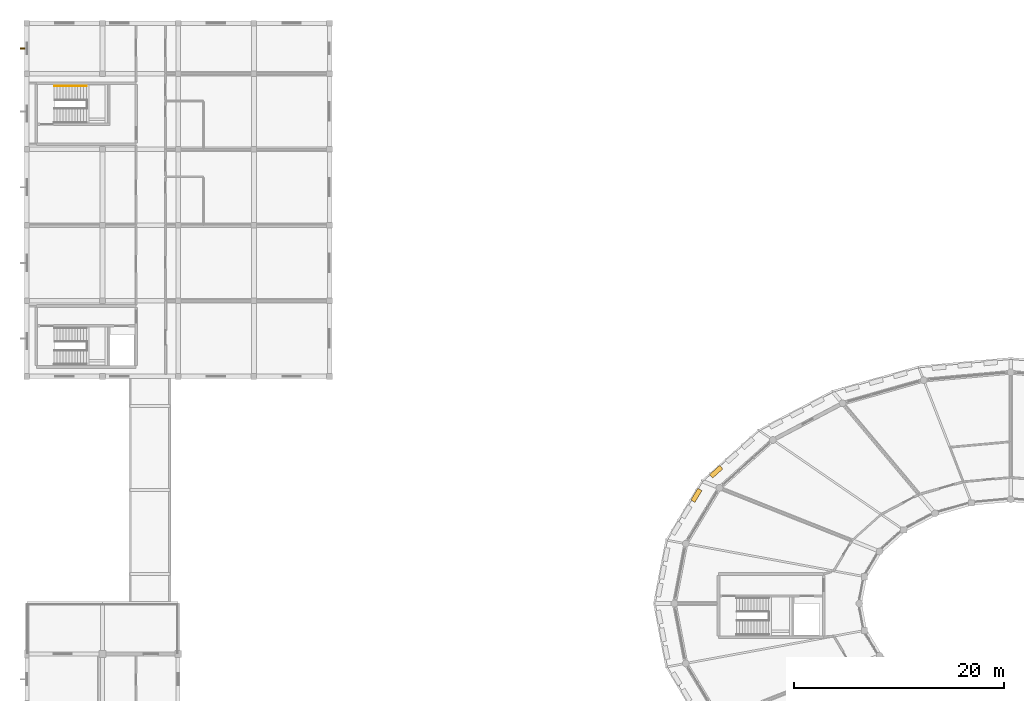
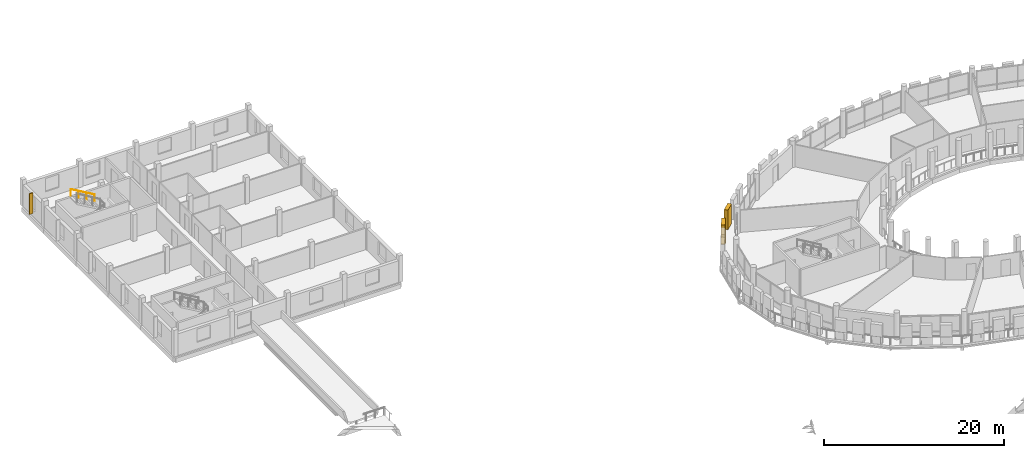
# One storey, part 91 of 93: 3 shading devices, 1 railing.
"""IFC4 building model written with IfcOpenShell, lengths in metres."""

from ifc_helpers import new_model, si_unit, direction, frame, origin, origin_2d, place, context, subcontext, project, spatial, rectangle, circle, extrude, material, type_object, element, save


model = new_model("IFC4")

# Units and contexts
model_context = context("Model", 3, precision=1e-05, world=origin(), true_north=direction((0.0, 1.0)))
body_context = subcontext(model_context, "Body", "Model", "MODEL_VIEW")
ifc_project = project(units=[si_unit("LENGTHUNIT", "METRE"), si_unit("AREAUNIT", "SQUARE_METRE"), si_unit("VOLUMEUNIT", "CUBIC_METRE"), si_unit("PLANEANGLEUNIT", "RADIAN"), si_unit("MASSUNIT", "GRAM", prefix="KILO")], contexts=[model_context])

# Site, building, storey
site_placement = place(None, origin())
site = spatial("IfcSite", under=ifc_project, at=site_placement, CompositionType="ELEMENT")
building_placement = place(site_placement, origin())
building = spatial("IfcBuilding", under=site, at=building_placement, Name="Zornivar Specialist Clinic", CompositionType="ELEMENT")
storey_placement = place(building_placement, frame((0.0, 0.0, 8.39990234375)))
storey = spatial("IfcBuildingStorey", under=building, at=storey_placement, Name="L02", CompositionType="ELEMENT", Elevation=8.39990234375)

# Railing
ifc_material_1 = material(Name="Brushed Stainless Steel Continuous Handrail", Category="steel")
railing_type = type_object("IfcRailingType", Name="HRL-STAIR-0920", PredefinedType="HANDRAIL", material=ifc_material_1)
railing_placement = place(storey_placement, frame((5.679931640625, 106.830078125, 2.112060546875)))
element("IfcRailing", 1, at=railing_placement, inside=storey, type_object=railing_type, Name="stair:C8:L02:hr2", PredefinedType="HANDRAIL", context=body_context, shape_type="SweptSolid", body=[
    extrude(circle(Radius=0.02392578125, at=origin_2d()), frame((0.0, 0.0, 0.89599609375), z_axis=(-0.863386364223, 0.0, 0.504543344097), x_axis=(0.0, -1.0, 0.0)), (0.0, 0.0, 1.0), 3.5439453125),
    extrude(circle(Radius=0.02099609375, at=origin_2d()), origin(), (0.0, 0.0, 1.0), 0.871826171875),
    extrude(circle(Radius=0.02099609375, at=origin_2d()), frame((-1.02001953125, 0.0, 0.595947265625)), (0.0, 0.0, 1.0), 0.871826171875),
    extrude(circle(Radius=0.02099609375, at=origin_2d()), frame((-2.039794921875, 0.0, 1.192138671875)), (0.0, 0.0, 1.0), 0.871826171875),
    extrude(circle(Radius=0.02099609375, at=origin_2d()), frame((-3.059814453125, 0.0, 1.7880859375)), (0.0, 0.0, 1.0), 0.871826171875),
])

# Shading devices
ifc_material_2 = material(Name="Oiled European Larch Timber Louvre Shutter", Category="wood")
shading_device_type_1 = type_object("IfcShadingDeviceType", Name="SHD-DRUM-SHUTTER-450", PredefinedType="SHUTTER", material=ifc_material_2)
for number, where, z_axis, x_axis, name in (
    (2, (65.576904296875, 70.135986328125, 0.000244140625), (0.0, 0.0, 1.0), (-0.744796712128, -0.667291433785, 0.0), "shutter:V1:L02:c09:2"),
    (3, (63.693115234375, 67.89404296875, 0.000244140625), (0.0, 0.0, 1.0), (-0.516018019467, -0.856577727696, 0.0), "shutter:V1:L02:c10:0"),
):
    element("IfcShadingDevice", number, at=place(storey_placement, frame(where, z_axis=z_axis, x_axis=x_axis)), inside=storey, type_object=shading_device_type_1, Name=name, PredefinedType="SHUTTER", context=body_context, shape_type="SweptSolid", body=[
        extrude(rectangle(XDim=1.300048828125, YDim=0.449951171875, at=origin_2d()), origin(), (0.0, 0.0, 1.0), 2.64990234375),
    ])
ifc_material_3 = material(Name="Oiled Larch and Bronze Solar Fin")
shading_device_type_2 = type_object("IfcShadingDeviceType", Name="SHD-FACADE-FIN-450", PredefinedType="JALOUSIE", material=ifc_material_3)
shading_device_placement = place(storey_placement, frame((-0.425048828125, 110.39990234375, 0.375), z_axis=(0.0, 0.0, 1.0), x_axis=(0.0, -1.0, 0.0)))
element("IfcShadingDevice", 4, at=shading_device_placement, inside=storey, type_object=shading_device_type_2, Name="fin:V5:L02:13", PredefinedType="JALOUSIE", context=body_context, shape_type="SweptSolid", body=[
    extrude(rectangle(XDim=0.1201171875, YDim=0.449951171875, at=origin_2d()), origin(), (0.0, 0.0, 1.0), 2.800048828125),
])

save(model, "model.ifc")
